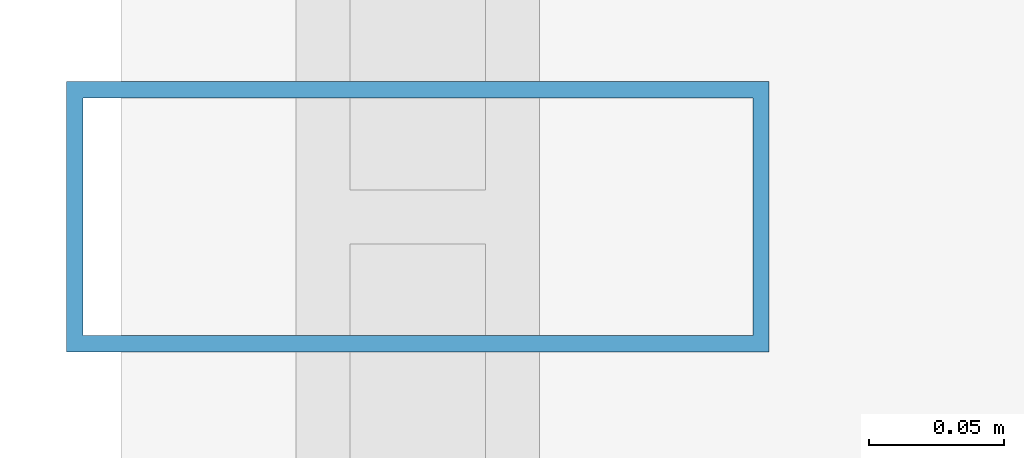
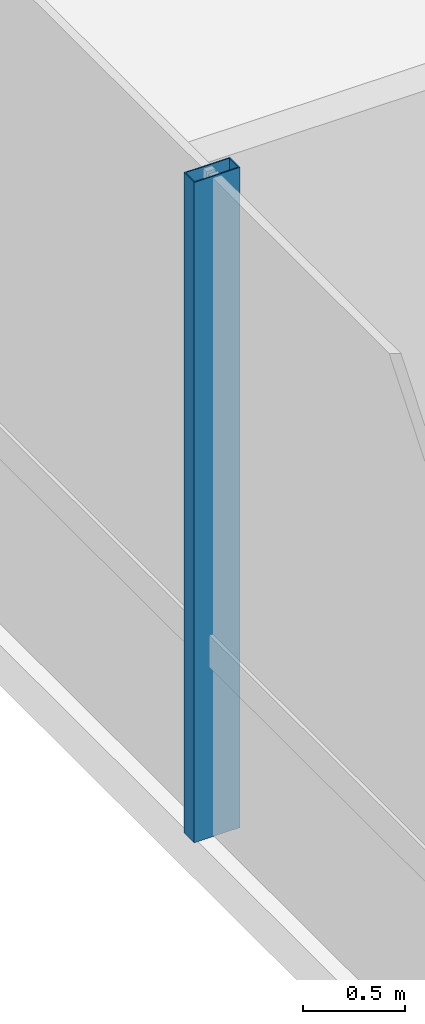
# One storey, part 3 of 11: 1 member, 1 element without a shape of its own.
"""IFC4 building model written with IfcOpenShell, lengths in metres."""

from ifc_helpers import new_model, si_unit, direction, frame, origin, origin_2d, place, context, subcontext, project, spatial, hollow_rectangle, extrude, source, transform, mapped, material, material_profile, profile_set, type_object, element, aggregate, save


model = new_model("IFC4")

# Units and contexts
model_context = context("Model", 3, precision=1e-05, world=origin(), true_north=direction((0.0, 1.0)))
body_context = subcontext(model_context, "Body", "Model", "MODEL_VIEW")
ifc_project = project(units=[si_unit("LENGTHUNIT", "METRE"), si_unit("AREAUNIT", "SQUARE_METRE"), si_unit("VOLUMEUNIT", "CUBIC_METRE"), si_unit("PLANEANGLEUNIT", "RADIAN"), si_unit("MASSUNIT", "GRAM", prefix="KILO")], contexts=[model_context])

# Site, building, storey
site_placement = place(None, origin())
site = spatial("IfcSite", under=ifc_project, at=site_placement, CompositionType="ELEMENT")
building_placement = place(site_placement, origin())
building = spatial("IfcBuilding", under=site, at=building_placement, Name="Valdorenza Pilgrim Sanctuary Tower", CompositionType="ELEMENT")
storey_placement = place(building_placement, frame((0.0, 0.0, 299.39990234375)))
storey = spatial("IfcBuildingStorey", under=building, at=storey_placement, Name="L78", CompositionType="ELEMENT", Elevation=299.39990234375)

# Curtain wall, member
ifc_material_1 = material(Name="Curtain-wall IGU glazing", Category="glass")
curtain_wall_type = type_object("IfcCurtainWallType", Name="CW-SYS-06", PredefinedType="NOTDEFINED", material=ifc_material_1)
curtain_wall_placement = place(storey_placement, origin())
curtain_wall = element("IfcCurtainWall", 1, at=curtain_wall_placement, inside=storey, type_object=curtain_wall_type, Name="L78 Curtain Wall CW-L78-1-1", PredefinedType="NOTDEFINED")
ifc_material_2 = material(Name="Anodised aluminium AW-6060", Category="aluminium")
ifc_material_profile = material_profile(ifc_material_2, hollow_rectangle(XDim=0.10009765625, YDim=0.260009765625, WallThickness=0.006103515625, at=origin_2d()), Name="ALU-M 260x100x6")
ifc_profile_set = profile_set([ifc_material_profile], Name="Anodised aluminium AW-6060")
member_type = type_object("IfcMemberType", Name="CW-MUL-06", PredefinedType="MULLION", material=ifc_profile_set)
shared_shape = source(origin(), body_context, "Body", "SweptSolid", [
    extrude(hollow_rectangle(XDim=0.10009765625, YDim=0.260009765625, WallThickness=0.006103515625, at=origin_2d()), origin(), (0.0, 0.0, 1.0), 3.960205078125),
])
member_placement = place(storey_placement, frame((-30.5400390625, 1.35009765625, 0.0), z_axis=(0.0, 0.0, 1.0), x_axis=(0.0, 1.0, 0.0)))
member = element("IfcMember", 2, at=member_placement, type_object=member_type, Name="CW-L78-1-1 Mullion 3", PredefinedType="MULLION", context=body_context, shape_type="MappedRepresentation", body=[
    mapped(shared_shape, transform((0.0, 0.0, 0.0), x_axis=(1.0, 0.0, 0.0), y_axis=(0.0, 1.0, 0.0), z_axis=(0.0, 0.0, 1.0), scale=1.0)),
])
aggregate(curtain_wall, [member])

save(model, "model.ifc")
